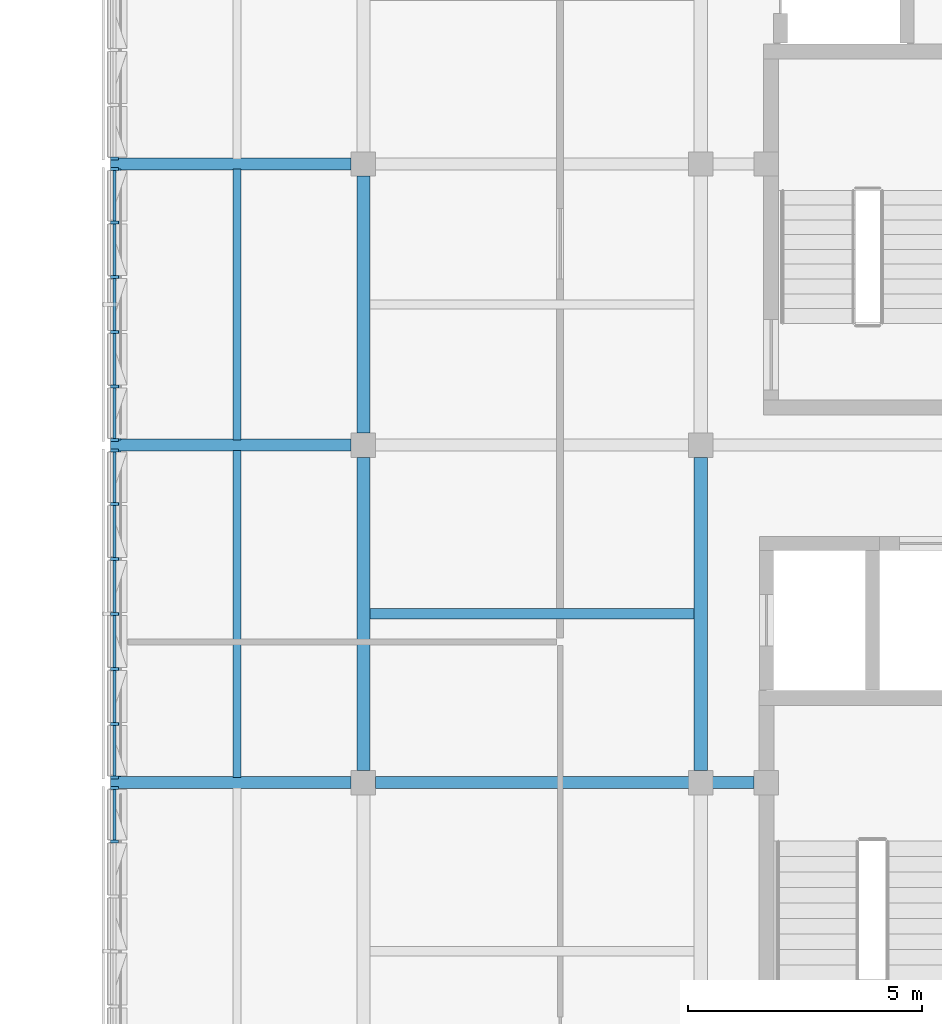
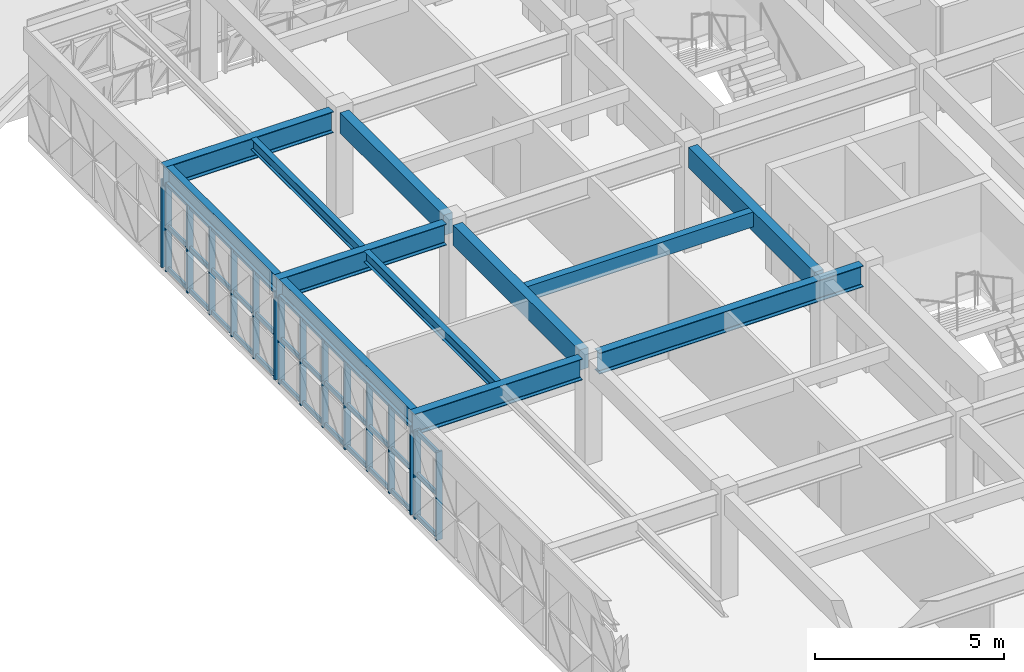
# One storey, part 6 of 48: 52 members, 12 beams, 4 elements without a shape of their own.
"""IFC4 building model written with IfcOpenShell, lengths in metres."""

from ifc_helpers import new_model, si_unit, direction, frame, origin, origin_2d, place, context, subcontext, project, spatial, rectangle, i_section, extrude, material, material_profile, profile_set, type_object, element, aggregate, save


model = new_model("IFC4")

# Units and contexts
model_context = context("Model", 3, precision=1e-05, world=origin(), true_north=direction((0.0, 1.0)))
body_context = subcontext(model_context, "Body", "Model", "MODEL_VIEW")
ifc_project = project(units=[si_unit("LENGTHUNIT", "METRE"), si_unit("AREAUNIT", "SQUARE_METRE"), si_unit("VOLUMEUNIT", "CUBIC_METRE"), si_unit("PLANEANGLEUNIT", "RADIAN"), si_unit("MASSUNIT", "GRAM", prefix="KILO")], contexts=[model_context])

# Site, building, storey
site_placement = place(None, origin())
site = spatial("IfcSite", under=ifc_project, at=site_placement, CompositionType="ELEMENT")
building_placement = place(site_placement, origin())
building = spatial("IfcBuilding", under=site, at=building_placement, Name="Alvorim Cloister Faculty of Sciences", CompositionType="ELEMENT")
storey_placement = place(building_placement, frame((0.0, 0.0, 19.35009765625)))
storey = spatial("IfcBuildingStorey", under=building, at=storey_placement, Name="L05", CompositionType="ELEMENT", Elevation=19.35009765625)

# Beams
ifc_material_1 = material(Name="Glulam GL28h", Category="wood")
ifc_material_profile_1 = material_profile(ifc_material_1, rectangle(XDim=0.280029296875, YDim=0.659912109375, at=origin_2d()), Name="GL28-BM-280x660")
ifc_profile_set_1 = profile_set([ifc_material_profile_1], Name="Glulam GL28h")
beam_type_1 = type_object("IfcBeamType", Name="BM-GL-280x660", PredefinedType="BEAM", material=ifc_profile_set_1)
beam_1_placement = place(storey_placement, frame((7.199951171875, 36.260009765625, 3.059814453125), z_axis=(0.0, 1.0, 0.0), x_axis=(-1.0, 0.0, 0.0)))
element("IfcBeam", 1, at=beam_1_placement, inside=storey, type_object=beam_type_1, Name="L05 Primary Girder BM-1984", PredefinedType="BEAM", context=body_context, shape_type="SweptSolid", body=[
    extrude(rectangle(XDim=0.280029296875, YDim=0.659912109375, at=origin_2d()), origin(), (0.0, 0.0, 1.0), 6.679931640625),
])
beam_2_placement = place(storey_placement, frame((7.199951171875, 43.4599609375, 3.059814453125), z_axis=(0.0, 1.0, 0.0), x_axis=(-1.0, 0.0, 0.0)))
element("IfcBeam", 2, at=beam_2_placement, inside=storey, type_object=beam_type_1, Name="L05 Primary Girder BM-1985", PredefinedType="BEAM", context=body_context, shape_type="SweptSolid", body=[
    extrude(rectangle(XDim=0.280029296875, YDim=0.659912109375, at=origin_2d()), origin(), (0.0, 0.0, 1.0), 5.47998046875),
])
beam_3_placement = place(storey_placement, frame((14.39990234375, 36.260009765625, 3.059814453125), z_axis=(0.0, 1.0, 0.0), x_axis=(-1.0, 0.0, 0.0)))
element("IfcBeam", 3, at=beam_3_placement, inside=storey, type_object=beam_type_1, Name="L05 Primary Girder BM-1991", PredefinedType="BEAM", context=body_context, shape_type="SweptSolid", body=[
    extrude(rectangle(XDim=0.280029296875, YDim=0.659912109375, at=origin_2d()), origin(), (0.0, 0.0, 1.0), 6.679931640625),
])
ifc_material_profile_2 = material_profile(ifc_material_1, rectangle(XDim=0.219970703125, YDim=0.47998046875, at=origin_2d()), Name="GL28-JST-220x480")
ifc_profile_set_2 = profile_set([ifc_material_profile_2], Name="Glulam GL28h")
beam_type_2 = type_object("IfcBeamType", Name="BM-JST-GL-220x480", PredefinedType="JOIST", material=ifc_profile_set_2)
beam_4_placement = place(storey_placement, frame((7.340087890625, 39.60009765625, 3.14990234375), z_axis=(1.0, 0.0, 0.0), x_axis=(0.0, 1.0, 0.0)))
element("IfcBeam", 4, at=beam_4_placement, inside=storey, type_object=beam_type_2, Name="L05 Secondary Floor Joist BM-2020", PredefinedType="JOIST", context=body_context, shape_type="SweptSolid", body=[
    extrude(rectangle(XDim=0.219970703125, YDim=0.47998046875, at=origin_2d()), origin(), (0.0, 0.0, 1.0), 6.919921875),
])
ifc_material_2 = material(Name="Steel ASTM A572 Grade 50", Category="steel")
ifc_material_profile_3 = material_profile(ifc_material_2, i_section(OverallWidth=0.1708984375, OverallDepth=0.35498046875, WebThickness=0.007080078125, FlangeThickness=0.01171875, FilletRadius=0.012939453125, at=origin_2d()), Name="W360x51.0")
ifc_profile_set_3 = profile_set([ifc_material_profile_3], Name="Steel ASTM A572 Grade 50")
beam_type_3 = type_object("IfcBeamType", Name="BM-STL-W360", PredefinedType="JOIST", material=ifc_profile_set_3)
beam_5_placement = place(storey_placement, frame((4.5, 36.110107421875, 3.21240234375), z_axis=(0.0, 1.0, 0.0), x_axis=(-1.0, 0.0, 0.0)))
element("IfcBeam", 5, at=beam_5_placement, inside=storey, type_object=beam_type_3, Name="L05 Cantilever Deck Joist BM-0122", PredefinedType="JOIST", context=body_context, shape_type="SweptSolid", body=[
    extrude(i_section(OverallWidth=0.1708984375, OverallDepth=0.35498046875, WebThickness=0.007080078125, FlangeThickness=0.01171875, FilletRadius=0.012939453125, at=origin_2d()), origin(), (0.0, 0.0, 1.0), 6.97998046875),
])
beam_6_placement = place(storey_placement, frame((4.5, 43.31005859375, 3.21240234375), z_axis=(0.0, 1.0, 0.0), x_axis=(-1.0, 0.0, 0.0)))
element("IfcBeam", 6, at=beam_6_placement, inside=storey, type_object=beam_type_3, Name="L05 Cantilever Deck Joist BM-0124", PredefinedType="JOIST", context=body_context, shape_type="SweptSolid", body=[
    extrude(i_section(OverallWidth=0.1708984375, OverallDepth=0.35498046875, WebThickness=0.007080078125, FlangeThickness=0.01171875, FilletRadius=0.012939453125, at=origin_2d()), origin(), (0.0, 0.0, 1.0), 5.780029296875),
])
ifc_material_profile_4 = material_profile(ifc_material_2, i_section(OverallWidth=0.208984375, OverallDepth=0.532958984375, WebThickness=0.01025390625, FlangeThickness=0.015625, FilletRadius=0.01611328125, at=origin_2d()), Name="W530x92.0")
ifc_profile_set_4 = profile_set([ifc_material_profile_4], Name="Steel ASTM A572 Grade 50")
beam_type_4 = type_object("IfcBeamType", Name="BM-STL-W530", PredefinedType="BEAM", material=ifc_profile_set_4)
beam_7_placement = place(storey_placement, frame((1.919921875, 36.110107421875, 3.123291015625), z_axis=(0.0, 1.0, 0.0), x_axis=(-1.0, 0.0, 0.0)))
element("IfcBeam", 7, at=beam_7_placement, inside=storey, type_object=beam_type_4, Name="L05 Cantilever Tip Header Girder BM-0121", PredefinedType="BEAM", context=body_context, shape_type="SweptSolid", body=[
    extrude(i_section(OverallWidth=0.208984375, OverallDepth=0.532958984375, WebThickness=0.01025390625, FlangeThickness=0.015625, FilletRadius=0.01611328125, at=origin_2d()), origin(), (0.0, 0.0, 1.0), 6.97998046875),
])
beam_8_placement = place(storey_placement, frame((1.919921875, 43.31005859375, 3.123291015625), z_axis=(0.0, 1.0, 0.0), x_axis=(-1.0, 0.0, 0.0)))
element("IfcBeam", 8, at=beam_8_placement, inside=storey, type_object=beam_type_4, Name="L05 Cantilever Tip Header Girder BM-0123", PredefinedType="BEAM", context=body_context, shape_type="SweptSolid", body=[
    extrude(i_section(OverallWidth=0.208984375, OverallDepth=0.532958984375, WebThickness=0.01025390625, FlangeThickness=0.015625, FilletRadius=0.01611328125, at=origin_2d()), origin(), (0.0, 0.0, 1.0), 5.780029296875),
])
ifc_material_profile_5 = material_profile(ifc_material_2, i_section(OverallWidth=0.25390625, OverallDepth=0.68408203125, WebThickness=0.012451171875, FlangeThickness=0.01904296875, FilletRadius=0.01904296875, at=origin_2d()), Name="W690x140.0")
ifc_profile_set_5 = profile_set([ifc_material_profile_5], Name="Steel ASTM A572 Grade 50")
beam_type_5 = type_object("IfcBeamType", Name="BM-STL-W690", PredefinedType="BEAM", material=ifc_profile_set_5)
beam_9_placement = place(storey_placement, frame((7.4599609375, 36.0, 3.0478515625), z_axis=(1.0, 0.0, 0.0), x_axis=(0.0, 1.0, 0.0)))
element("IfcBeam", 9, at=beam_9_placement, inside=storey, type_object=beam_type_5, Name="L05 Cantilever Backspan Girder BM-0109", PredefinedType="BEAM", context=body_context, shape_type="SweptSolid", body=[
    extrude(i_section(OverallWidth=0.25390625, OverallDepth=0.68408203125, WebThickness=0.012451171875, FlangeThickness=0.01904296875, FilletRadius=0.01904296875, at=origin_2d()), origin(), (0.0, 0.0, 1.0), 8.080078125),
])
for number, where, z_axis, x_axis, name in (
    (10, (1.800048828125, 36.0, 3.0478515625), (1.0, 0.0, 0.0), (0.0, 1.0, 0.0), "L05 Cantilever Overhang Girder BM-0110"),
    (11, (1.800048828125, 43.199951171875, 3.0478515625), (1.0, 0.0, 0.0), (0.0, 1.0, 0.0), "L05 Cantilever Overhang Girder BM-0112"),
    (12, (1.800048828125, 49.199951171875, 3.0478515625), (1.0, 0.0, 0.0), (0.0, 1.0, 0.0), "L05 Cantilever Overhang Girder BM-0114"),
):
    element("IfcBeam", number, at=place(storey_placement, frame(where, z_axis=z_axis, x_axis=x_axis)), inside=storey, type_object=beam_type_5, Name=name, PredefinedType="BEAM", context=body_context, shape_type="SweptSolid", body=[
        extrude(i_section(OverallWidth=0.25390625, OverallDepth=0.68408203125, WebThickness=0.012451171875, FlangeThickness=0.01904296875, FilletRadius=0.01904296875, at=origin_2d()), origin(), (0.0, 0.0, 1.0), 5.139892578125),
    ])

# Curtain wall, members
ifc_material_3 = material(Name="Aluminium and Low-E Glass Curtain Wall", Category="aluminium")
curtain_wall_type_1 = type_object("IfcCurtainWallType", Name="CW-TRI-7040x2857", PredefinedType="USERDEFINED", material=ifc_material_3)
curtain_wall_1_placement = place(storey_placement, origin())
curtain_wall_1 = element("IfcCurtainWall", 13, at=curtain_wall_1_placement, inside=storey, type_object=curtain_wall_type_1, Name="L05 Diagonal Cassette Curtain Wall CW-0215", ObjectType="UNITISED CURTAIN WALL", PredefinedType="USERDEFINED")
ifc_material_4 = material(Name="Aluminium Alloy 6063-T6", Category="aluminium")
ifc_material_profile_6 = material_profile(ifc_material_4, rectangle(XDim=0.06494140625, YDim=0.179931640625, at=origin_2d()), Name="ALU-MUL-65x180")
ifc_profile_set_6 = profile_set([ifc_material_profile_6], Name="Aluminium Alloy 6063-T6")
member_type_1 = type_object("IfcMemberType", Name="CW-MUL-65x180", PredefinedType="MULLION", material=ifc_profile_set_6)
member_1_placement = place(storey_placement, frame((1.889892578125, 34.74658203125, 0.0), z_axis=(0.0, 0.0, 1.0), x_axis=(0.0, 1.0, 0.0)))
member_1 = element("IfcMember", 14, at=member_1_placement, type_object=member_type_1, Name="CW-0215 Mullion 6", PredefinedType="MULLION", context=body_context, shape_type="SweptSolid", body=[
    extrude(rectangle(XDim=0.06494140625, YDim=0.179931640625, at=origin_2d()), origin(), (0.0, 0.0, 1.0), 2.85693359375),
])
member_2_placement = place(storey_placement, frame((1.889892578125, 35.887451171875, 0.0), z_axis=(0.0, 0.0, 1.0), x_axis=(0.0, 1.0, 0.0)))
member_2 = element("IfcMember", 15, at=member_2_placement, type_object=member_type_1, Name="CW-0215 Mullion 7", PredefinedType="MULLION", context=body_context, shape_type="SweptSolid", body=[
    extrude(rectangle(XDim=0.06494140625, YDim=0.179931640625, at=origin_2d()), origin(), (0.0, 0.0, 1.0), 2.85693359375),
])

curtain_wall_2_placement = place(storey_placement, origin())
curtain_wall_2 = element("IfcCurtainWall", 16, at=curtain_wall_2_placement, inside=storey, type_object=curtain_wall_type_1, Name="L05 Diagonal Cassette Curtain Wall CW-0216", ObjectType="UNITISED CURTAIN WALL", PredefinedType="USERDEFINED")
member_3_placement = place(storey_placement, frame((1.889892578125, 36.112548828125, 0.0), z_axis=(0.0, 0.0, 1.0), x_axis=(0.0, 1.0, 0.0)))
member_3 = element("IfcMember", 17, at=member_3_placement, type_object=member_type_1, Name="CW-0216 Mullion 1", PredefinedType="MULLION", context=body_context, shape_type="SweptSolid", body=[
    extrude(rectangle(XDim=0.06494140625, YDim=0.179931640625, at=origin_2d()), origin(), (0.0, 0.0, 1.0), 2.85693359375),
])
member_4_placement = place(storey_placement, frame((1.889892578125, 37.25341796875, 0.0), z_axis=(0.0, 0.0, 1.0), x_axis=(0.0, 1.0, 0.0)))
member_4 = element("IfcMember", 18, at=member_4_placement, type_object=member_type_1, Name="CW-0216 Mullion 2", PredefinedType="MULLION", context=body_context, shape_type="SweptSolid", body=[
    extrude(rectangle(XDim=0.06494140625, YDim=0.179931640625, at=origin_2d()), origin(), (0.0, 0.0, 1.0), 2.85693359375),
])
member_5_placement = place(storey_placement, frame((1.889892578125, 38.4267578125, 0.0), z_axis=(0.0, 0.0, 1.0), x_axis=(0.0, 1.0, 0.0)))
member_5 = element("IfcMember", 19, at=member_5_placement, type_object=member_type_1, Name="CW-0216 Mullion 3", PredefinedType="MULLION", context=body_context, shape_type="SweptSolid", body=[
    extrude(rectangle(XDim=0.06494140625, YDim=0.179931640625, at=origin_2d()), origin(), (0.0, 0.0, 1.0), 2.85693359375),
])
member_6_placement = place(storey_placement, frame((1.889892578125, 39.60009765625, 0.0), z_axis=(0.0, 0.0, 1.0), x_axis=(0.0, 1.0, 0.0)))
member_6 = element("IfcMember", 20, at=member_6_placement, type_object=member_type_1, Name="CW-0216 Mullion 4", PredefinedType="MULLION", context=body_context, shape_type="SweptSolid", body=[
    extrude(rectangle(XDim=0.06494140625, YDim=0.179931640625, at=origin_2d()), origin(), (0.0, 0.0, 1.0), 2.85693359375),
])
member_7_placement = place(storey_placement, frame((1.889892578125, 40.773193359375, 0.0), z_axis=(0.0, 0.0, 1.0), x_axis=(0.0, 1.0, 0.0)))
member_7 = element("IfcMember", 21, at=member_7_placement, type_object=member_type_1, Name="CW-0216 Mullion 5", PredefinedType="MULLION", context=body_context, shape_type="SweptSolid", body=[
    extrude(rectangle(XDim=0.06494140625, YDim=0.179931640625, at=origin_2d()), origin(), (0.0, 0.0, 1.0), 2.85693359375),
])
member_8_placement = place(storey_placement, frame((1.889892578125, 41.94677734375, 0.0), z_axis=(0.0, 0.0, 1.0), x_axis=(0.0, 1.0, 0.0)))
member_8 = element("IfcMember", 22, at=member_8_placement, type_object=member_type_1, Name="CW-0216 Mullion 6", PredefinedType="MULLION", context=body_context, shape_type="SweptSolid", body=[
    extrude(rectangle(XDim=0.06494140625, YDim=0.179931640625, at=origin_2d()), origin(), (0.0, 0.0, 1.0), 2.85693359375),
])
member_9_placement = place(storey_placement, frame((1.889892578125, 43.08740234375, 0.0), z_axis=(0.0, 0.0, 1.0), x_axis=(0.0, 1.0, 0.0)))
member_9 = element("IfcMember", 23, at=member_9_placement, type_object=member_type_1, Name="CW-0216 Mullion 7", PredefinedType="MULLION", context=body_context, shape_type="SweptSolid", body=[
    extrude(rectangle(XDim=0.06494140625, YDim=0.179931640625, at=origin_2d()), origin(), (0.0, 0.0, 1.0), 2.85693359375),
])

curtain_wall_type_2 = type_object("IfcCurtainWallType", Name="CW-TRI-5840x2857", PredefinedType="USERDEFINED", material=ifc_material_3)
curtain_wall_3_placement = place(storey_placement, origin())
curtain_wall_3 = element("IfcCurtainWall", 24, at=curtain_wall_3_placement, inside=storey, type_object=curtain_wall_type_2, Name="L05 Diagonal Cassette Curtain Wall CW-0217", ObjectType="UNITISED CURTAIN WALL", PredefinedType="USERDEFINED")
member_10_placement = place(storey_placement, frame((1.889892578125, 43.3125, 0.0), z_axis=(0.0, 0.0, 1.0), x_axis=(0.0, 1.0, 0.0)))
member_10 = element("IfcMember", 25, at=member_10_placement, type_object=member_type_1, Name="CW-0217 Mullion 1", PredefinedType="MULLION", context=body_context, shape_type="SweptSolid", body=[
    extrude(rectangle(XDim=0.06494140625, YDim=0.179931640625, at=origin_2d()), origin(), (0.0, 0.0, 1.0), 2.85693359375),
])
member_11_placement = place(storey_placement, frame((1.889892578125, 44.447998046875, 0.0), z_axis=(0.0, 0.0, 1.0), x_axis=(0.0, 1.0, 0.0)))
member_11 = element("IfcMember", 26, at=member_11_placement, type_object=member_type_1, Name="CW-0217 Mullion 2", PredefinedType="MULLION", context=body_context, shape_type="SweptSolid", body=[
    extrude(rectangle(XDim=0.06494140625, YDim=0.179931640625, at=origin_2d()), origin(), (0.0, 0.0, 1.0), 2.85693359375),
])
member_12_placement = place(storey_placement, frame((1.889892578125, 45.615966796875, 0.0), z_axis=(0.0, 0.0, 1.0), x_axis=(0.0, 1.0, 0.0)))
member_12 = element("IfcMember", 27, at=member_12_placement, type_object=member_type_1, Name="CW-0217 Mullion 3", PredefinedType="MULLION", context=body_context, shape_type="SweptSolid", body=[
    extrude(rectangle(XDim=0.06494140625, YDim=0.179931640625, at=origin_2d()), origin(), (0.0, 0.0, 1.0), 2.85693359375),
])
member_13_placement = place(storey_placement, frame((1.889892578125, 46.783935546875, 0.0), z_axis=(0.0, 0.0, 1.0), x_axis=(0.0, 1.0, 0.0)))
member_13 = element("IfcMember", 28, at=member_13_placement, type_object=member_type_1, Name="CW-0217 Mullion 4", PredefinedType="MULLION", context=body_context, shape_type="SweptSolid", body=[
    extrude(rectangle(XDim=0.06494140625, YDim=0.179931640625, at=origin_2d()), origin(), (0.0, 0.0, 1.0), 2.85693359375),
])
member_14_placement = place(storey_placement, frame((1.889892578125, 47.951904296875, 0.0), z_axis=(0.0, 0.0, 1.0), x_axis=(0.0, 1.0, 0.0)))
member_14 = element("IfcMember", 29, at=member_14_placement, type_object=member_type_1, Name="CW-0217 Mullion 5", PredefinedType="MULLION", context=body_context, shape_type="SweptSolid", body=[
    extrude(rectangle(XDim=0.06494140625, YDim=0.179931640625, at=origin_2d()), origin(), (0.0, 0.0, 1.0), 2.85693359375),
])
member_15_placement = place(storey_placement, frame((1.889892578125, 49.08740234375, 0.0), z_axis=(0.0, 0.0, 1.0), x_axis=(0.0, 1.0, 0.0)))
member_15 = element("IfcMember", 30, at=member_15_placement, type_object=member_type_1, Name="CW-0217 Mullion 6", PredefinedType="MULLION", context=body_context, shape_type="SweptSolid", body=[
    extrude(rectangle(XDim=0.06494140625, YDim=0.179931640625, at=origin_2d()), origin(), (0.0, 0.0, 1.0), 2.85693359375),
])

# Curtain wall, member
curtain_wall_4_placement = place(storey_placement, origin())
curtain_wall_4 = element("IfcCurtainWall", 31, at=curtain_wall_4_placement, inside=storey, type_object=curtain_wall_type_1, Name="L05 Diagonal Cassette Curtain Wall CW-0218", ObjectType="UNITISED CURTAIN WALL", PredefinedType="USERDEFINED")
member_16_placement = place(storey_placement, frame((1.889892578125, 49.3125, 0.0), z_axis=(0.0, 0.0, 1.0), x_axis=(0.0, 1.0, 0.0)))
member_16 = element("IfcMember", 32, at=member_16_placement, type_object=member_type_1, Name="CW-0218 Mullion 1", PredefinedType="MULLION", context=body_context, shape_type="SweptSolid", body=[
    extrude(rectangle(XDim=0.06494140625, YDim=0.179931640625, at=origin_2d()), origin(), (0.0, 0.0, 1.0), 2.85693359375),
])
aggregate(curtain_wall_4, [member_16])

# Member
ifc_material_profile_7 = material_profile(ifc_material_4, rectangle(XDim=0.06494140625, YDim=0.139892578125, at=origin_2d()), Name="ALU-TRN-65x140")
ifc_profile_set_7 = profile_set([ifc_material_profile_7], Name="Aluminium Alloy 6063-T6")
member_type_2 = type_object("IfcMemberType", Name="CW-TRN-65x140", PredefinedType="USERDEFINED", material=ifc_profile_set_7)
member_17_placement = place(storey_placement, frame((1.889892578125, 34.779052734375, 0.06982421875), z_axis=(0.0, 1.0, 0.0), x_axis=(-1.0, 0.0, 0.0)))
member_17 = element("IfcMember", 33, at=member_17_placement, type_object=member_type_2, Name="CW-0215 Transom 6.1", ObjectType="TRANSOM", PredefinedType="USERDEFINED", context=body_context, shape_type="SweptSolid", body=[
    extrude(rectangle(XDim=0.06494140625, YDim=0.139892578125, at=origin_2d()), origin(), (0.0, 0.0, 1.0), 1.075927734375),
])

member_18_placement = place(storey_placement, frame((1.889892578125, 34.779052734375, 1.428466796875), z_axis=(0.0, 1.0, 0.0), x_axis=(-1.0, 0.0, 0.0)))
member_18 = element("IfcMember", 34, at=member_18_placement, type_object=member_type_2, Name="CW-0215 Transom 6.2", ObjectType="TRANSOM", PredefinedType="USERDEFINED", context=body_context, shape_type="SweptSolid", body=[
    extrude(rectangle(XDim=0.06494140625, YDim=0.139892578125, at=origin_2d()), origin(), (0.0, 0.0, 1.0), 1.075927734375),
])

member_19_placement = place(storey_placement, frame((1.889892578125, 34.779052734375, 2.786865234375), z_axis=(0.0, 1.0, 0.0), x_axis=(-1.0, 0.0, 0.0)))
member_19 = element("IfcMember", 35, at=member_19_placement, type_object=member_type_2, Name="CW-0215 Transom 6.3", ObjectType="TRANSOM", PredefinedType="USERDEFINED", context=body_context, shape_type="SweptSolid", body=[
    extrude(rectangle(XDim=0.06494140625, YDim=0.139892578125, at=origin_2d()), origin(), (0.0, 0.0, 1.0), 1.075927734375),
])

aggregate(curtain_wall_1, [member_1, member_2, member_17, member_18, member_19])

member_20_placement = place(storey_placement, frame((1.889892578125, 36.14501953125, 0.06982421875), z_axis=(0.0, 1.0, 0.0), x_axis=(-1.0, 0.0, 0.0)))
member_20 = element("IfcMember", 36, at=member_20_placement, type_object=member_type_2, Name="CW-0216 Transom 1.1", ObjectType="TRANSOM", PredefinedType="USERDEFINED", context=body_context, shape_type="SweptSolid", body=[
    extrude(rectangle(XDim=0.06494140625, YDim=0.139892578125, at=origin_2d()), origin(), (0.0, 0.0, 1.0), 1.075927734375),
])

member_21_placement = place(storey_placement, frame((1.889892578125, 36.14501953125, 1.428466796875), z_axis=(0.0, 1.0, 0.0), x_axis=(-1.0, 0.0, 0.0)))
member_21 = element("IfcMember", 37, at=member_21_placement, type_object=member_type_2, Name="CW-0216 Transom 1.2", ObjectType="TRANSOM", PredefinedType="USERDEFINED", context=body_context, shape_type="SweptSolid", body=[
    extrude(rectangle(XDim=0.06494140625, YDim=0.139892578125, at=origin_2d()), origin(), (0.0, 0.0, 1.0), 1.075927734375),
])

member_22_placement = place(storey_placement, frame((1.889892578125, 36.14501953125, 2.786865234375), z_axis=(0.0, 1.0, 0.0), x_axis=(-1.0, 0.0, 0.0)))
member_22 = element("IfcMember", 38, at=member_22_placement, type_object=member_type_2, Name="CW-0216 Transom 1.3", ObjectType="TRANSOM", PredefinedType="USERDEFINED", context=body_context, shape_type="SweptSolid", body=[
    extrude(rectangle(XDim=0.06494140625, YDim=0.139892578125, at=origin_2d()), origin(), (0.0, 0.0, 1.0), 1.075927734375),
])

member_23_placement = place(storey_placement, frame((1.889892578125, 37.285888671875, 0.06982421875), z_axis=(0.0, 1.0, 0.0), x_axis=(-1.0, 0.0, 0.0)))
member_23 = element("IfcMember", 39, at=member_23_placement, type_object=member_type_2, Name="CW-0216 Transom 2.1", ObjectType="TRANSOM", PredefinedType="USERDEFINED", context=body_context, shape_type="SweptSolid", body=[
    extrude(rectangle(XDim=0.06494140625, YDim=0.139892578125, at=origin_2d()), origin(), (0.0, 0.0, 1.0), 1.1083984375),
])

member_24_placement = place(storey_placement, frame((1.889892578125, 37.285888671875, 1.428466796875), z_axis=(0.0, 1.0, 0.0), x_axis=(-1.0, 0.0, 0.0)))
member_24 = element("IfcMember", 40, at=member_24_placement, type_object=member_type_2, Name="CW-0216 Transom 2.2", ObjectType="TRANSOM", PredefinedType="USERDEFINED", context=body_context, shape_type="SweptSolid", body=[
    extrude(rectangle(XDim=0.06494140625, YDim=0.139892578125, at=origin_2d()), origin(), (0.0, 0.0, 1.0), 1.1083984375),
])

member_25_placement = place(storey_placement, frame((1.889892578125, 37.285888671875, 2.786865234375), z_axis=(0.0, 1.0, 0.0), x_axis=(-1.0, 0.0, 0.0)))
member_25 = element("IfcMember", 41, at=member_25_placement, type_object=member_type_2, Name="CW-0216 Transom 2.3", ObjectType="TRANSOM", PredefinedType="USERDEFINED", context=body_context, shape_type="SweptSolid", body=[
    extrude(rectangle(XDim=0.06494140625, YDim=0.139892578125, at=origin_2d()), origin(), (0.0, 0.0, 1.0), 1.1083984375),
])

member_26_placement = place(storey_placement, frame((1.889892578125, 38.459228515625, 0.06982421875), z_axis=(0.0, 1.0, 0.0), x_axis=(-1.0, 0.0, 0.0)))
member_26 = element("IfcMember", 42, at=member_26_placement, type_object=member_type_2, Name="CW-0216 Transom 3.1", ObjectType="TRANSOM", PredefinedType="USERDEFINED", context=body_context, shape_type="SweptSolid", body=[
    extrude(rectangle(XDim=0.06494140625, YDim=0.139892578125, at=origin_2d()), origin(), (0.0, 0.0, 1.0), 1.108154296875),
])

member_27_placement = place(storey_placement, frame((1.889892578125, 38.459228515625, 1.428466796875), z_axis=(0.0, 1.0, 0.0), x_axis=(-1.0, 0.0, 0.0)))
member_27 = element("IfcMember", 43, at=member_27_placement, type_object=member_type_2, Name="CW-0216 Transom 3.2", ObjectType="TRANSOM", PredefinedType="USERDEFINED", context=body_context, shape_type="SweptSolid", body=[
    extrude(rectangle(XDim=0.06494140625, YDim=0.139892578125, at=origin_2d()), origin(), (0.0, 0.0, 1.0), 1.108154296875),
])

member_28_placement = place(storey_placement, frame((1.889892578125, 38.459228515625, 2.786865234375), z_axis=(0.0, 1.0, 0.0), x_axis=(-1.0, 0.0, 0.0)))
member_28 = element("IfcMember", 44, at=member_28_placement, type_object=member_type_2, Name="CW-0216 Transom 3.3", ObjectType="TRANSOM", PredefinedType="USERDEFINED", context=body_context, shape_type="SweptSolid", body=[
    extrude(rectangle(XDim=0.06494140625, YDim=0.139892578125, at=origin_2d()), origin(), (0.0, 0.0, 1.0), 1.108154296875),
])

member_29_placement = place(storey_placement, frame((1.889892578125, 39.632568359375, 0.06982421875), z_axis=(0.0, 1.0, 0.0), x_axis=(-1.0, 0.0, 0.0)))
member_29 = element("IfcMember", 45, at=member_29_placement, type_object=member_type_2, Name="CW-0216 Transom 4.1", ObjectType="TRANSOM", PredefinedType="USERDEFINED", context=body_context, shape_type="SweptSolid", body=[
    extrude(rectangle(XDim=0.06494140625, YDim=0.139892578125, at=origin_2d()), origin(), (0.0, 0.0, 1.0), 1.108154296875),
])

member_30_placement = place(storey_placement, frame((1.889892578125, 39.632568359375, 1.428466796875), z_axis=(0.0, 1.0, 0.0), x_axis=(-1.0, 0.0, 0.0)))
member_30 = element("IfcMember", 46, at=member_30_placement, type_object=member_type_2, Name="CW-0216 Transom 4.2", ObjectType="TRANSOM", PredefinedType="USERDEFINED", context=body_context, shape_type="SweptSolid", body=[
    extrude(rectangle(XDim=0.06494140625, YDim=0.139892578125, at=origin_2d()), origin(), (0.0, 0.0, 1.0), 1.108154296875),
])

member_31_placement = place(storey_placement, frame((1.889892578125, 39.632568359375, 2.786865234375), z_axis=(0.0, 1.0, 0.0), x_axis=(-1.0, 0.0, 0.0)))
member_31 = element("IfcMember", 47, at=member_31_placement, type_object=member_type_2, Name="CW-0216 Transom 4.3", ObjectType="TRANSOM", PredefinedType="USERDEFINED", context=body_context, shape_type="SweptSolid", body=[
    extrude(rectangle(XDim=0.06494140625, YDim=0.139892578125, at=origin_2d()), origin(), (0.0, 0.0, 1.0), 1.108154296875),
])

member_32_placement = place(storey_placement, frame((1.889892578125, 40.805908203125, 0.06982421875), z_axis=(0.0, 1.0, 0.0), x_axis=(-1.0, 0.0, 0.0)))
member_32 = element("IfcMember", 48, at=member_32_placement, type_object=member_type_2, Name="CW-0216 Transom 5.1", ObjectType="TRANSOM", PredefinedType="USERDEFINED", context=body_context, shape_type="SweptSolid", body=[
    extrude(rectangle(XDim=0.06494140625, YDim=0.139892578125, at=origin_2d()), origin(), (0.0, 0.0, 1.0), 1.108154296875),
])

member_33_placement = place(storey_placement, frame((1.889892578125, 40.805908203125, 1.428466796875), z_axis=(0.0, 1.0, 0.0), x_axis=(-1.0, 0.0, 0.0)))
member_33 = element("IfcMember", 49, at=member_33_placement, type_object=member_type_2, Name="CW-0216 Transom 5.2", ObjectType="TRANSOM", PredefinedType="USERDEFINED", context=body_context, shape_type="SweptSolid", body=[
    extrude(rectangle(XDim=0.06494140625, YDim=0.139892578125, at=origin_2d()), origin(), (0.0, 0.0, 1.0), 1.108154296875),
])

member_34_placement = place(storey_placement, frame((1.889892578125, 40.805908203125, 2.786865234375), z_axis=(0.0, 1.0, 0.0), x_axis=(-1.0, 0.0, 0.0)))
member_34 = element("IfcMember", 50, at=member_34_placement, type_object=member_type_2, Name="CW-0216 Transom 5.3", ObjectType="TRANSOM", PredefinedType="USERDEFINED", context=body_context, shape_type="SweptSolid", body=[
    extrude(rectangle(XDim=0.06494140625, YDim=0.139892578125, at=origin_2d()), origin(), (0.0, 0.0, 1.0), 1.108154296875),
])

member_35_placement = place(storey_placement, frame((1.889892578125, 41.979248046875, 0.06982421875), z_axis=(0.0, 1.0, 0.0), x_axis=(-1.0, 0.0, 0.0)))
member_35 = element("IfcMember", 51, at=member_35_placement, type_object=member_type_2, Name="CW-0216 Transom 6.1", ObjectType="TRANSOM", PredefinedType="USERDEFINED", context=body_context, shape_type="SweptSolid", body=[
    extrude(rectangle(XDim=0.06494140625, YDim=0.139892578125, at=origin_2d()), origin(), (0.0, 0.0, 1.0), 1.07568359375),
])

member_36_placement = place(storey_placement, frame((1.889892578125, 41.979248046875, 1.428466796875), z_axis=(0.0, 1.0, 0.0), x_axis=(-1.0, 0.0, 0.0)))
member_36 = element("IfcMember", 52, at=member_36_placement, type_object=member_type_2, Name="CW-0216 Transom 6.2", ObjectType="TRANSOM", PredefinedType="USERDEFINED", context=body_context, shape_type="SweptSolid", body=[
    extrude(rectangle(XDim=0.06494140625, YDim=0.139892578125, at=origin_2d()), origin(), (0.0, 0.0, 1.0), 1.07568359375),
])

member_37_placement = place(storey_placement, frame((1.889892578125, 41.979248046875, 2.786865234375), z_axis=(0.0, 1.0, 0.0), x_axis=(-1.0, 0.0, 0.0)))
member_37 = element("IfcMember", 53, at=member_37_placement, type_object=member_type_2, Name="CW-0216 Transom 6.3", ObjectType="TRANSOM", PredefinedType="USERDEFINED", context=body_context, shape_type="SweptSolid", body=[
    extrude(rectangle(XDim=0.06494140625, YDim=0.139892578125, at=origin_2d()), origin(), (0.0, 0.0, 1.0), 1.07568359375),
])

aggregate(curtain_wall_2, [member_3, member_4, member_5, member_6, member_7, member_8, member_9, member_20, member_21, member_22, member_23, member_24, member_25, member_26, member_27, member_28, member_29, member_30, member_31, member_32, member_33, member_34, member_35, member_36, member_37])

member_38_placement = place(storey_placement, frame((1.889892578125, 43.344970703125, 0.06982421875), z_axis=(0.0, 1.0, 0.0), x_axis=(-1.0, 0.0, 0.0)))
member_38 = element("IfcMember", 54, at=member_38_placement, type_object=member_type_2, Name="CW-0217 Transom 1.1", ObjectType="TRANSOM", PredefinedType="USERDEFINED", context=body_context, shape_type="SweptSolid", body=[
    extrude(rectangle(XDim=0.06494140625, YDim=0.139892578125, at=origin_2d()), origin(), (0.0, 0.0, 1.0), 1.070556640625),
])

member_39_placement = place(storey_placement, frame((1.889892578125, 43.344970703125, 1.428466796875), z_axis=(0.0, 1.0, 0.0), x_axis=(-1.0, 0.0, 0.0)))
member_39 = element("IfcMember", 55, at=member_39_placement, type_object=member_type_2, Name="CW-0217 Transom 1.2", ObjectType="TRANSOM", PredefinedType="USERDEFINED", context=body_context, shape_type="SweptSolid", body=[
    extrude(rectangle(XDim=0.06494140625, YDim=0.139892578125, at=origin_2d()), origin(), (0.0, 0.0, 1.0), 1.070556640625),
])

member_40_placement = place(storey_placement, frame((1.889892578125, 43.344970703125, 2.786865234375), z_axis=(0.0, 1.0, 0.0), x_axis=(-1.0, 0.0, 0.0)))
member_40 = element("IfcMember", 56, at=member_40_placement, type_object=member_type_2, Name="CW-0217 Transom 1.3", ObjectType="TRANSOM", PredefinedType="USERDEFINED", context=body_context, shape_type="SweptSolid", body=[
    extrude(rectangle(XDim=0.06494140625, YDim=0.139892578125, at=origin_2d()), origin(), (0.0, 0.0, 1.0), 1.070556640625),
])

member_41_placement = place(storey_placement, frame((1.889892578125, 44.48046875, 0.06982421875), z_axis=(0.0, 1.0, 0.0), x_axis=(-1.0, 0.0, 0.0)))
member_41 = element("IfcMember", 57, at=member_41_placement, type_object=member_type_2, Name="CW-0217 Transom 2.1", ObjectType="TRANSOM", PredefinedType="USERDEFINED", context=body_context, shape_type="SweptSolid", body=[
    extrude(rectangle(XDim=0.06494140625, YDim=0.139892578125, at=origin_2d()), origin(), (0.0, 0.0, 1.0), 1.10302734375),
])

member_42_placement = place(storey_placement, frame((1.889892578125, 44.48046875, 1.428466796875), z_axis=(0.0, 1.0, 0.0), x_axis=(-1.0, 0.0, 0.0)))
member_42 = element("IfcMember", 58, at=member_42_placement, type_object=member_type_2, Name="CW-0217 Transom 2.2", ObjectType="TRANSOM", PredefinedType="USERDEFINED", context=body_context, shape_type="SweptSolid", body=[
    extrude(rectangle(XDim=0.06494140625, YDim=0.139892578125, at=origin_2d()), origin(), (0.0, 0.0, 1.0), 1.10302734375),
])

member_43_placement = place(storey_placement, frame((1.889892578125, 44.48046875, 2.786865234375), z_axis=(0.0, 1.0, 0.0), x_axis=(-1.0, 0.0, 0.0)))
member_43 = element("IfcMember", 59, at=member_43_placement, type_object=member_type_2, Name="CW-0217 Transom 2.3", ObjectType="TRANSOM", PredefinedType="USERDEFINED", context=body_context, shape_type="SweptSolid", body=[
    extrude(rectangle(XDim=0.06494140625, YDim=0.139892578125, at=origin_2d()), origin(), (0.0, 0.0, 1.0), 1.10302734375),
])

member_44_placement = place(storey_placement, frame((1.889892578125, 45.6484375, 0.06982421875), z_axis=(0.0, 1.0, 0.0), x_axis=(-1.0, 0.0, 0.0)))
member_44 = element("IfcMember", 60, at=member_44_placement, type_object=member_type_2, Name="CW-0217 Transom 3.1", ObjectType="TRANSOM", PredefinedType="USERDEFINED", context=body_context, shape_type="SweptSolid", body=[
    extrude(rectangle(XDim=0.06494140625, YDim=0.139892578125, at=origin_2d()), origin(), (0.0, 0.0, 1.0), 1.10302734375),
])

member_45_placement = place(storey_placement, frame((1.889892578125, 45.6484375, 1.428466796875), z_axis=(0.0, 1.0, 0.0), x_axis=(-1.0, 0.0, 0.0)))
member_45 = element("IfcMember", 61, at=member_45_placement, type_object=member_type_2, Name="CW-0217 Transom 3.2", ObjectType="TRANSOM", PredefinedType="USERDEFINED", context=body_context, shape_type="SweptSolid", body=[
    extrude(rectangle(XDim=0.06494140625, YDim=0.139892578125, at=origin_2d()), origin(), (0.0, 0.0, 1.0), 1.10302734375),
])

member_46_placement = place(storey_placement, frame((1.889892578125, 45.6484375, 2.786865234375), z_axis=(0.0, 1.0, 0.0), x_axis=(-1.0, 0.0, 0.0)))
member_46 = element("IfcMember", 62, at=member_46_placement, type_object=member_type_2, Name="CW-0217 Transom 3.3", ObjectType="TRANSOM", PredefinedType="USERDEFINED", context=body_context, shape_type="SweptSolid", body=[
    extrude(rectangle(XDim=0.06494140625, YDim=0.139892578125, at=origin_2d()), origin(), (0.0, 0.0, 1.0), 1.10302734375),
])

member_47_placement = place(storey_placement, frame((1.889892578125, 46.81640625, 0.06982421875), z_axis=(0.0, 1.0, 0.0), x_axis=(-1.0, 0.0, 0.0)))
member_47 = element("IfcMember", 63, at=member_47_placement, type_object=member_type_2, Name="CW-0217 Transom 4.1", ObjectType="TRANSOM", PredefinedType="USERDEFINED", context=body_context, shape_type="SweptSolid", body=[
    extrude(rectangle(XDim=0.06494140625, YDim=0.139892578125, at=origin_2d()), origin(), (0.0, 0.0, 1.0), 1.10302734375),
])

member_48_placement = place(storey_placement, frame((1.889892578125, 46.81640625, 1.428466796875), z_axis=(0.0, 1.0, 0.0), x_axis=(-1.0, 0.0, 0.0)))
member_48 = element("IfcMember", 64, at=member_48_placement, type_object=member_type_2, Name="CW-0217 Transom 4.2", ObjectType="TRANSOM", PredefinedType="USERDEFINED", context=body_context, shape_type="SweptSolid", body=[
    extrude(rectangle(XDim=0.06494140625, YDim=0.139892578125, at=origin_2d()), origin(), (0.0, 0.0, 1.0), 1.10302734375),
])

member_49_placement = place(storey_placement, frame((1.889892578125, 46.81640625, 2.786865234375), z_axis=(0.0, 1.0, 0.0), x_axis=(-1.0, 0.0, 0.0)))
member_49 = element("IfcMember", 65, at=member_49_placement, type_object=member_type_2, Name="CW-0217 Transom 4.3", ObjectType="TRANSOM", PredefinedType="USERDEFINED", context=body_context, shape_type="SweptSolid", body=[
    extrude(rectangle(XDim=0.06494140625, YDim=0.139892578125, at=origin_2d()), origin(), (0.0, 0.0, 1.0), 1.10302734375),
])

member_50_placement = place(storey_placement, frame((1.889892578125, 47.984619140625, 0.06982421875), z_axis=(0.0, 1.0, 0.0), x_axis=(-1.0, 0.0, 0.0)))
member_50 = element("IfcMember", 66, at=member_50_placement, type_object=member_type_2, Name="CW-0217 Transom 5.1", ObjectType="TRANSOM", PredefinedType="USERDEFINED", context=body_context, shape_type="SweptSolid", body=[
    extrude(rectangle(XDim=0.06494140625, YDim=0.139892578125, at=origin_2d()), origin(), (0.0, 0.0, 1.0), 1.0703125),
])

member_51_placement = place(storey_placement, frame((1.889892578125, 47.984619140625, 1.428466796875), z_axis=(0.0, 1.0, 0.0), x_axis=(-1.0, 0.0, 0.0)))
member_51 = element("IfcMember", 67, at=member_51_placement, type_object=member_type_2, Name="CW-0217 Transom 5.2", ObjectType="TRANSOM", PredefinedType="USERDEFINED", context=body_context, shape_type="SweptSolid", body=[
    extrude(rectangle(XDim=0.06494140625, YDim=0.139892578125, at=origin_2d()), origin(), (0.0, 0.0, 1.0), 1.0703125),
])

member_52_placement = place(storey_placement, frame((1.889892578125, 47.984619140625, 2.786865234375), z_axis=(0.0, 1.0, 0.0), x_axis=(-1.0, 0.0, 0.0)))
member_52 = element("IfcMember", 68, at=member_52_placement, type_object=member_type_2, Name="CW-0217 Transom 5.3", ObjectType="TRANSOM", PredefinedType="USERDEFINED", context=body_context, shape_type="SweptSolid", body=[
    extrude(rectangle(XDim=0.06494140625, YDim=0.139892578125, at=origin_2d()), origin(), (0.0, 0.0, 1.0), 1.0703125),
])

aggregate(curtain_wall_3, [member_10, member_11, member_12, member_13, member_14, member_15, member_38, member_39, member_40, member_41, member_42, member_43, member_44, member_45, member_46, member_47, member_48, member_49, member_50, member_51, member_52])

save(model, "model.ifc")
